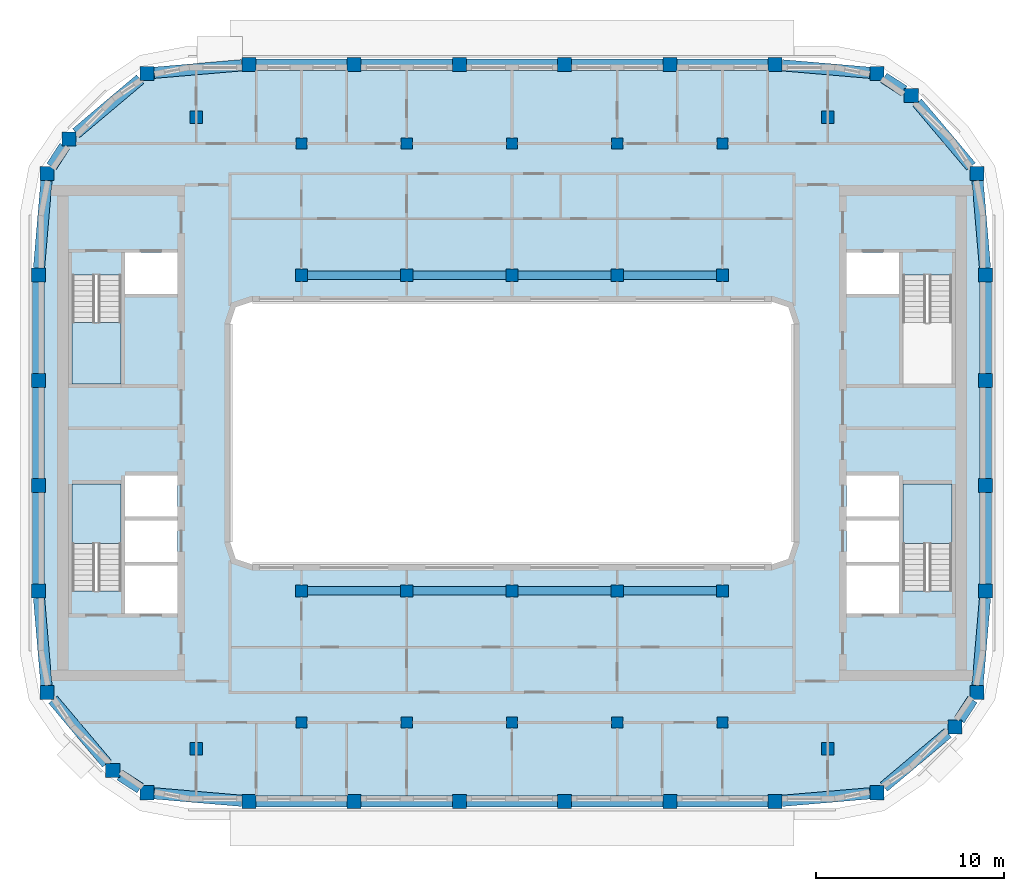
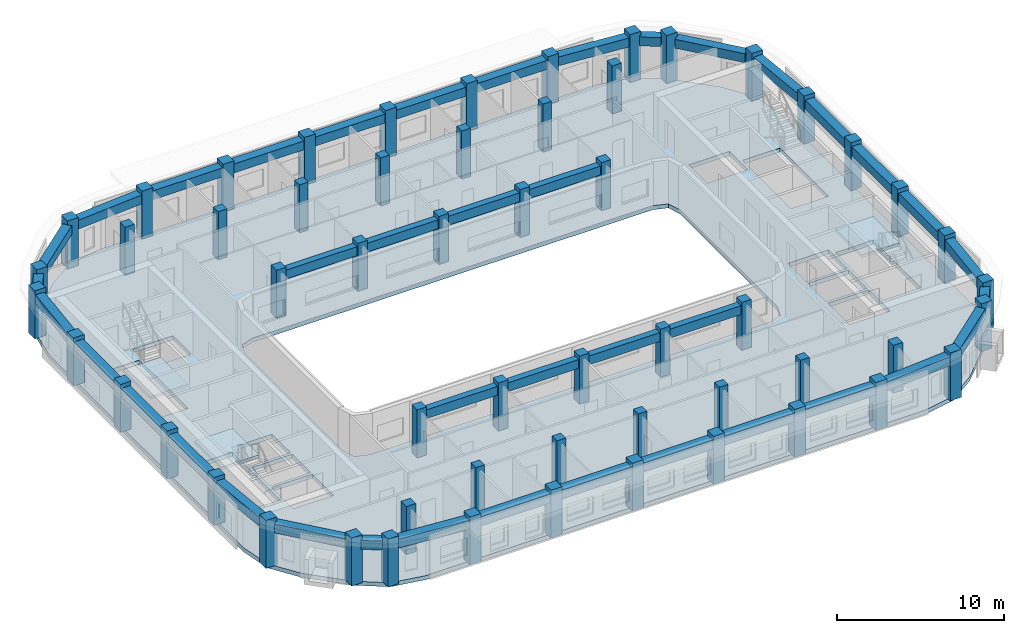
# One storey, part 1 of 16: 56 columns, 40 beams, 4 slabs, 3 elements without a shape of their own.
"""IFC4 building model written with IfcOpenShell, lengths in metres."""

import ifcopenshell
import ifcopenshell.guid

model = None  # the IFC model being written
_history = None  # IfcOwnerHistory: only IFC2X3 demands one
_inside = {}  # id of a spatial element -> (the spatial element, [elements in it])
_under = {}  # id of a project, library or spatial element -> (it, [spatial elements below it])
_declared = {}  # id of a project -> (the project, [libraries it declares])
_typed = {}  # id of a type object -> (the type object, [elements of that type])
_made_of = {}  # id of a material, layer set ... -> (it, [elements and type objects made of it])


def new_model(schema):
    """Start an empty IFC model of exactly this schema.

    Asked for "IFC4X3", IfcOpenShell would pick the latest addendum, in which some entities
    have other attributes; the version numbers below select the first issue.
    IFC2X3 requires an IfcOwnerHistory on every rooted entity: one is made here for all.
    """
    global model, _history
    if schema == "IFC4X3":
        model = ifcopenshell.file(schema_version=(4, 3, 0, 0))
    else:
        model = ifcopenshell.file(schema=schema)
    _inside.clear()
    _under.clear()
    _declared.clear()
    _typed.clear()
    _made_of.clear()
    _history = None
    if model.schema == "IFC2X3":
        org = make("IfcOrganization", Name="unknown")
        user = make(
            "IfcPersonAndOrganization",
            ThePerson=make("IfcPerson", FamilyName="unknown"),
            TheOrganization=org,
        )
        app = make(
            "IfcApplication",
            ApplicationDeveloper=org,
            Version="unknown",
            ApplicationFullName="unknown",
            ApplicationIdentifier="unknown",
        )
        _history = make(
            "IfcOwnerHistory",
            OwningUser=user,
            OwningApplication=app,
            ChangeAction="ADDED",
            CreationDate=0,
        )
    return model


def make(cls, **values):
    """One entity of the class cls with the attributes given. An attribute that is None is left unset."""
    return model.create_entity(
        cls, **{name: value for name, value in values.items() if value is not None}
    )


def rooted(cls, **values):
    """An entity with a GlobalId (a new one), such as an element, a storey or a relation."""
    return make(cls, GlobalId=ifcopenshell.guid.new(), OwnerHistory=_history, **values)


def si_unit(unit_type, name, prefix=None):
    """IfcSIUnit, for example si_unit("LENGTHUNIT", "METRE", prefix="MILLI")."""
    return make("IfcSIUnit", UnitType=unit_type, Prefix=prefix, Name=name)


def assignment(units):
    """IfcUnitAssignment: the units of a project."""
    return None if units is None else make("IfcUnitAssignment", Units=units)


def point(xyz):
    """IfcCartesianPoint."""
    return None if xyz is None else make("IfcCartesianPoint", Coordinates=xyz)


def direction(xyz):
    """IfcDirection."""
    return None if xyz is None else make("IfcDirection", DirectionRatios=xyz)


def frame(location, z_axis=None, x_axis=None):
    """IfcAxis2Placement3D, a coordinate frame: its origin and axes. An axis left out is left unset."""
    return make(
        "IfcAxis2Placement3D",
        Location=point(location),
        Axis=direction(z_axis),
        RefDirection=direction(x_axis),
    )


def frame_2d(location, x_axis=None):
    """IfcAxis2Placement2D, a coordinate frame in the plane: its origin and x axis."""
    return make(
        "IfcAxis2Placement2D", Location=point(location), RefDirection=direction(x_axis)
    )


def origin():
    """The frame at (0, 0, 0) with its axes left unset."""
    return frame((0.0, 0.0, 0.0))


def origin_2d():
    """The frame at (0, 0) in the plane with its x axis left unset."""
    return frame_2d((0.0, 0.0))


def place(relative_to, where):
    """IfcLocalPlacement: puts the frame where relative to a parent placement (None: the world)."""
    return make(
        "IfcLocalPlacement", PlacementRelTo=relative_to, RelativePlacement=where
    )


def context(
    kind, dimensions, precision=None, world=None, true_north=None, identifier=None
):
    """IfcGeometricRepresentationContext, for example the 3D "Model" context."""
    return make(
        "IfcGeometricRepresentationContext",
        ContextIdentifier=identifier,
        ContextType=kind,
        CoordinateSpaceDimension=dimensions,
        Precision=precision,
        WorldCoordinateSystem=world,
        TrueNorth=true_north,
    )


def subcontext(parent, identifier, kind, view, scale=None):
    """IfcGeometricRepresentationSubContext, for example "Body" below "Model"."""
    return make(
        "IfcGeometricRepresentationSubContext",
        ContextIdentifier=identifier,
        ContextType=kind,
        ParentContext=parent,
        TargetScale=scale,
        TargetView=view,
    )


def project(units=None, contexts=None):
    """IfcProject with its units and contexts."""
    return rooted(
        "IfcProject",
        Name="project",
        RepresentationContexts=contexts,
        UnitsInContext=assignment(units),
    )


def spatial(cls, under=None, at=None, **own):
    """A site, building, storey or space (cls), placed at a placement, below another one or the project."""
    s = rooted(cls, ObjectPlacement=at, **own)
    if under is not None:
        _under.setdefault(under.id(), (under, []))[1].append(s)
    return s


def polyline(points):
    """IfcPolyline through the points."""
    return make("IfcPolyline", Points=[point(p) for p in points])


def profile(cls, at=None, kind="AREA", **sizes):
    """A parametric profile (cls). Its sizes go by their IFC names, for example OverallWidth=200.0."""
    return make(cls, ProfileType=kind, Position=at, **sizes)


def rectangle(**sizes):
    """IfcRectangleProfileDef."""
    return profile("IfcRectangleProfileDef", **sizes)


def outline(outer, holes=None, kind="AREA"):
    """IfcArbitraryClosedProfileDef: a profile drawn as a closed curve; with holes, ...WithVoids."""
    if holes is None:
        return make("IfcArbitraryClosedProfileDef", ProfileType=kind, OuterCurve=outer)
    return make(
        "IfcArbitraryProfileDefWithVoids",
        ProfileType=kind,
        OuterCurve=outer,
        InnerCurves=holes,
    )


def extrude(swept, where, along, depth):
    """IfcExtrudedAreaSolid: the profile swept, set in the frame where, extruded along a direction by depth."""
    return make(
        "IfcExtrudedAreaSolid",
        SweptArea=swept,
        Position=where,
        ExtrudedDirection=direction(along),
        Depth=depth,
    )


def shape(context_of_items, identifier, shape_type, items):
    """IfcShapeRepresentation: the items that make up one representation, for example the "Body"."""
    return make(
        "IfcShapeRepresentation",
        ContextOfItems=context_of_items,
        RepresentationIdentifier=identifier,
        RepresentationType=shape_type,
        Items=items,
    )


def material(Name=None, Category=None):
    """IfcMaterial."""
    return make("IfcMaterial", Name=Name, Category=Category)


def layer(
    of_material, thickness, ventilated=None, Name=None, Category=None, Priority=None
):
    """IfcMaterialLayer: one layer of a wall or slab, of a material (None: an air gap)."""
    return make(
        "IfcMaterialLayer",
        Material=of_material,
        LayerThickness=thickness,
        IsVentilated=ventilated,
        Name=Name,
        Category=Category,
        Priority=Priority,
    )


def layer_set(layers, Name=None):
    """IfcMaterialLayerSet."""
    return make("IfcMaterialLayerSet", MaterialLayers=layers, LayerSetName=Name)


def material_profile(
    of_material, cross_section, Name=None, Category=None, Priority=None
):
    """IfcMaterialProfile: a cross section and its material."""
    return make(
        "IfcMaterialProfile",
        Name=Name,
        Material=of_material,
        Profile=cross_section,
        Priority=Priority,
        Category=Category,
    )


def profile_set(profiles, Name=None, composite=None):
    """IfcMaterialProfileSet."""
    return make(
        "IfcMaterialProfileSet",
        Name=Name,
        MaterialProfiles=profiles,
        CompositeProfile=composite,
    )


def made_of(thing, what):
    """Note that an element or type object is made of a material, layer set ...; save() writes the relation."""
    if what is not None:
        _made_of.setdefault(what.id(), (what, []))[1].append(thing)
    return thing


def type_object(cls, material=None, **own):
    """A type object (cls), such as IfcWallType, which elements share."""
    return made_of(rooted(cls, **own), material)


def element(
    cls,
    number,
    at=None,
    inside=None,
    cuts=None,
    type_object=None,
    material=None,
    context=None,
    identifier="Body",
    shape_type=None,
    held_by="IfcProductDefinitionShape",
    body=None,
    shapes=None,
    **own,
):
    """One element of the class cls, such as IfcWall. Its Tag is "e" and its number.

    at: its placement. inside: the storey or other place that contains it. cuts: it is an
    opening in that element (IfcRelVoidsElement). A single representation is given by context,
    identifier, shape_type and body (its items); several are given by shapes. held_by: the class
    of the entity that holds the representations. save() writes the other relations.
    """
    e = rooted(cls, Tag="e%d" % number, ObjectPlacement=at, **own)
    if body is not None:
        shapes = [shape(context, identifier, shape_type, body)]
    if shapes is not None:
        e.Representation = make(held_by, Representations=shapes)
    if inside is not None:
        _inside.setdefault(inside.id(), (inside, []))[1].append(e)
    if cuts is not None:
        rooted(
            "IfcRelVoidsElement", RelatingBuildingElement=cuts, RelatedOpeningElement=e
        )
    if type_object is not None:
        _typed.setdefault(type_object.id(), (type_object, []))[1].append(e)
    return made_of(e, material)


def aggregate(whole, parts):
    """IfcRelAggregates: a whole, such as a stair, and the parts it consists of."""
    return rooted("IfcRelAggregates", RelatingObject=whole, RelatedObjects=parts)


def save(model, path):
    """Write the relations noted so far, then the file.

    IfcRelAggregates (storeys below a building ...), IfcRelContainedInSpatialStructure (elements
    in a storey), IfcRelDefinesByType, IfcRelAssociatesMaterial and IfcRelDeclares: one each for
    every whole, place, type object, material and project.
    """
    for whole, parts in _under.values():
        aggregate(whole, parts)
    for where, things in _inside.values():
        rooted(
            "IfcRelContainedInSpatialStructure",
            RelatedElements=things,
            RelatingStructure=where,
        )
    for kind, things in _typed.values():
        rooted("IfcRelDefinesByType", RelatedObjects=things, RelatingType=kind)
    for what, things in _made_of.values():
        rooted("IfcRelAssociatesMaterial", RelatedObjects=things, RelatingMaterial=what)
    for by, libraries in _declared.values():
        rooted("IfcRelDeclares", RelatingContext=by, RelatedDefinitions=libraries)
    model.write(path)


model = new_model("IFC4")

# Units and contexts
model_context = context("Model", 3, precision=1e-05, world=origin(), true_north=direction((0.0, 1.0)))
body_context = subcontext(model_context, "Body", "Model", "MODEL_VIEW")
ifc_project = project(units=[si_unit("LENGTHUNIT", "METRE"), si_unit("AREAUNIT", "SQUARE_METRE"), si_unit("VOLUMEUNIT", "CUBIC_METRE"), si_unit("PLANEANGLEUNIT", "RADIAN"), si_unit("MASSUNIT", "GRAM", prefix="KILO")], contexts=[model_context])

# Site, building, storey
site_placement = place(None, origin())
site = spatial("IfcSite", under=ifc_project, at=site_placement, CompositionType="ELEMENT")
building_placement = place(site_placement, origin())
building = spatial("IfcBuilding", under=site, at=building_placement, Name="Kiln Ring Residences", CompositionType="ELEMENT")
storey_placement = place(building_placement, frame((0.0, 0.0, 269.699951171875)))
storey = spatial("IfcBuildingStorey", under=building, at=storey_placement, Name="L70", CompositionType="ELEMENT", Elevation=269.699951171875)

# Columns
ifc_material_1 = material(Name="Concrete C60/75", Category="concrete")
ifc_material_profile_1 = material_profile(ifc_material_1, rectangle(XDim=0.60009765625, YDim=0.60009765625, at=origin_2d()), Name="RC600x600")
ifc_profile_set_1 = profile_set([ifc_material_profile_1], Name="Concrete C60/75")
column_type_1 = type_object("IfcColumnType", Name="Corridor column RC600x600 C60/75", PredefinedType="COLUMN", material=ifc_profile_set_1)
for number, where, z_axis, x_axis, name in (
    (1, (-11.199951171875, 15.39990234375, 0.0), (0.0, 0.0, 1.0), (1.0, 0.0, 0.0), "Corridor column L70 1"),
    (2, (-5.60009765625, 15.39990234375, 0.0), (0.0, 0.0, 1.0), (1.0, 0.0, 0.0), "Corridor column L70 2"),
    (3, (0.0, 15.39990234375, 0.0), (0.0, 0.0, 1.0), (1.0, 0.0, 0.0), "Corridor column L70 3"),
    (4, (5.60009765625, 15.39990234375, 0.0), (0.0, 0.0, 1.0), (1.0, 0.0, 0.0), "Corridor column L70 4"),
    (5, (11.199951171875, 15.39990234375, 0.0), (0.0, 0.0, 1.0), (1.0, 0.0, 0.0), "Corridor column L70 5"),
    (6, (-11.199951171875, -15.39990234375, 0.0), (0.0, 0.0, 1.0), (1.0, 0.0, 0.0), "Corridor column L70 6"),
    (7, (-5.60009765625, -15.39990234375, 0.0), (0.0, 0.0, 1.0), (1.0, 0.0, 0.0), "Corridor column L70 7"),
    (8, (0.0, -15.39990234375, 0.0), (0.0, 0.0, 1.0), (1.0, 0.0, 0.0), "Corridor column L70 8"),
    (9, (5.60009765625, -15.39990234375, 0.0), (0.0, 0.0, 1.0), (1.0, 0.0, 0.0), "Corridor column L70 9"),
    (10, (11.199951171875, -15.39990234375, 0.0), (0.0, 0.0, 1.0), (1.0, 0.0, 0.0), "Corridor column L70 10"),
):
    element("IfcColumn", number, at=place(storey_placement, frame(where, z_axis=z_axis, x_axis=x_axis)), inside=storey, type_object=column_type_1, Name=name, PredefinedType="COLUMN", context=body_context, shape_type="SweptSolid", body=[
        extrude(rectangle(XDim=0.60009765625, YDim=0.60009765625, at=origin_2d()), origin(), (0.0, 0.0, 1.0), 3.5),
    ])
ifc_material_2 = material(Name="Concrete C60/75", Category="concrete")
ifc_material_profile_2 = material_profile(ifc_material_2, rectangle(XDim=0.75, YDim=0.75, at=origin_2d()), Name="RC750x750")
ifc_profile_set_2 = profile_set([ifc_material_profile_2], Name="Concrete C60/75")
column_type_2 = type_object("IfcColumnType", Name="Perimeter column RC750x750 C60/75", PredefinedType="COLUMN", material=ifc_profile_set_2)
for number, where, z_axis, x_axis, name in (
    (11, (-19.40869140625, -19.13818359375, 0.0), (0.0, 0.0, 1.0), (1.0, 0.0, 0.0), "Perimeter column L70 1"),
    (12, (-14.0, -19.60009765625, 0.0), (0.0, 0.0, 1.0), (1.0, 0.0, 0.0), "Perimeter column L70 2"),
    (13, (-8.39990234375, -19.60009765625, 0.0), (0.0, 0.0, 1.0), (1.0, 0.0, 0.0), "Perimeter column L70 3"),
    (14, (-2.800048828125, -19.60009765625, 0.0), (0.0, 0.0, 1.0), (1.0, 0.0, 0.0), "Perimeter column L70 4"),
    (15, (2.800048828125, -19.60009765625, 0.0), (0.0, 0.0, 1.0), (1.0, 0.0, 0.0), "Perimeter column L70 5"),
    (16, (8.39990234375, -19.60009765625, 0.0), (0.0, 0.0, 1.0), (1.0, 0.0, 0.0), "Perimeter column L70 6"),
    (17, (14.0, -19.60009765625, 0.0), (0.0, 0.0, 1.0), (1.0, 0.0, 0.0), "Perimeter column L70 7"),
    (18, (19.40869140625, -19.13818359375, 0.0), (0.0, 0.0, 1.0), (1.0, 0.0, 0.0), "Perimeter column L70 8"),
    (19, (23.559814453125, -15.64013671875, 0.0), (0.0, 0.0, 1.0), (1.0, 0.0, 0.0), "Perimeter column L70 9"),
    (20, (24.738037109375, -13.80859375, 0.0), (0.0, 0.0, 1.0), (1.0, 0.0, 0.0), "Perimeter column L70 10"),
    (21, (25.199951171875, -8.39990234375, 0.0), (0.0, 0.0, 1.0), (1.0, 0.0, 0.0), "Perimeter column L70 11"),
    (22, (25.199951171875, -2.800048828125, 0.0), (0.0, 0.0, 1.0), (1.0, 0.0, 0.0), "Perimeter column L70 12"),
    (23, (25.199951171875, 2.800048828125, 0.0), (0.0, 0.0, 1.0), (1.0, 0.0, 0.0), "Perimeter column L70 13"),
    (24, (25.199951171875, 8.39990234375, 0.0), (0.0, 0.0, 1.0), (1.0, 0.0, 0.0), "Perimeter column L70 14"),
    (25, (24.738037109375, 13.80859375, 0.0), (0.0, 0.0, 1.0), (1.0, 0.0, 0.0), "Perimeter column L70 15"),
    (26, (21.240234375, 17.959716796875, 0.0), (0.0, 0.0, 1.0), (1.0, 0.0, 0.0), "Perimeter column L70 16"),
    (27, (19.40869140625, 19.13818359375, 0.0), (0.0, 0.0, 1.0), (1.0, 0.0, 0.0), "Perimeter column L70 17"),
    (28, (14.0, 19.60009765625, 0.0), (0.0, 0.0, 1.0), (1.0, 0.0, 0.0), "Perimeter column L70 18"),
    (29, (8.39990234375, 19.60009765625, 0.0), (0.0, 0.0, 1.0), (1.0, 0.0, 0.0), "Perimeter column L70 19"),
    (30, (2.800048828125, 19.60009765625, 0.0), (0.0, 0.0, 1.0), (1.0, 0.0, 0.0), "Perimeter column L70 20"),
    (31, (-2.800048828125, 19.60009765625, 0.0), (0.0, 0.0, 1.0), (1.0, 0.0, 0.0), "Perimeter column L70 21"),
    (32, (-8.39990234375, 19.60009765625, 0.0), (0.0, 0.0, 1.0), (1.0, 0.0, 0.0), "Perimeter column L70 22"),
    (33, (-14.0, 19.60009765625, 0.0), (0.0, 0.0, 1.0), (1.0, 0.0, 0.0), "Perimeter column L70 23"),
    (34, (-19.40869140625, 19.13818359375, 0.0), (0.0, 0.0, 1.0), (1.0, 0.0, 0.0), "Perimeter column L70 24"),
    (35, (-23.559814453125, 15.64013671875, 0.0), (0.0, 0.0, 1.0), (1.0, 0.0, 0.0), "Perimeter column L70 25"),
    (36, (-24.738037109375, 13.80859375, 0.0), (0.0, 0.0, 1.0), (1.0, 0.0, 0.0), "Perimeter column L70 26"),
    (37, (-25.199951171875, 8.39990234375, 0.0), (0.0, 0.0, 1.0), (1.0, 0.0, 0.0), "Perimeter column L70 27"),
    (38, (-25.199951171875, 2.800048828125, 0.0), (0.0, 0.0, 1.0), (1.0, 0.0, 0.0), "Perimeter column L70 28"),
    (39, (-25.199951171875, -2.800048828125, 0.0), (0.0, 0.0, 1.0), (1.0, 0.0, 0.0), "Perimeter column L70 29"),
    (40, (-25.199951171875, -8.39990234375, 0.0), (0.0, 0.0, 1.0), (1.0, 0.0, 0.0), "Perimeter column L70 30"),
    (41, (-24.738037109375, -13.80859375, 0.0), (0.0, 0.0, 1.0), (1.0, 0.0, 0.0), "Perimeter column L70 31"),
    (42, (-21.240234375, -17.959716796875, 0.0), (0.0, 0.0, 1.0), (1.0, 0.0, 0.0), "Perimeter column L70 32"),
):
    element("IfcColumn", number, at=place(storey_placement, frame(where, z_axis=z_axis, x_axis=x_axis)), inside=storey, type_object=column_type_2, Name=name, PredefinedType="COLUMN", context=body_context, shape_type="SweptSolid", body=[
        extrude(rectangle(XDim=0.75, YDim=0.75, at=origin_2d()), origin(), (0.0, 0.0, 1.0), 3.5),
    ])
ifc_material_3 = material(Name="Concrete C60/75", Category="concrete")
ifc_material_profile_3 = material_profile(ifc_material_3, rectangle(XDim=0.64990234375, YDim=0.64990234375, at=origin_2d()), Name="RC650x650")
ifc_profile_set_3 = profile_set([ifc_material_profile_3], Name="Concrete C60/75")
column_type_3 = type_object("IfcColumnType", Name="Ring column RC650x650 C60/75", PredefinedType="COLUMN", material=ifc_profile_set_3)
for number, where, z_axis, x_axis, name in (
    (43, (-16.800048828125, -16.800048828125, 0.0), (0.0, 0.0, 1.0), (1.0, 0.0, 0.0), "Ring column L70 1"),
    (44, (-16.800048828125, 16.800048828125, 0.0), (0.0, 0.0, 1.0), (1.0, 0.0, 0.0), "Ring column L70 2"),
    (45, (-11.199951171875, -8.39990234375, 0.0), (0.0, 0.0, 1.0), (1.0, 0.0, 0.0), "Ring column L70 3"),
    (46, (-11.199951171875, 8.39990234375, 0.0), (0.0, 0.0, 1.0), (1.0, 0.0, 0.0), "Ring column L70 4"),
    (47, (-5.60009765625, -8.39990234375, 0.0), (0.0, 0.0, 1.0), (1.0, 0.0, 0.0), "Ring column L70 5"),
    (48, (-5.60009765625, 8.39990234375, 0.0), (0.0, 0.0, 1.0), (1.0, 0.0, 0.0), "Ring column L70 6"),
    (49, (0.0, -8.39990234375, 0.0), (0.0, 0.0, 1.0), (1.0, 0.0, 0.0), "Ring column L70 7"),
    (50, (0.0, 8.39990234375, 0.0), (0.0, 0.0, 1.0), (1.0, 0.0, 0.0), "Ring column L70 8"),
    (51, (5.60009765625, -8.39990234375, 0.0), (0.0, 0.0, 1.0), (1.0, 0.0, 0.0), "Ring column L70 9"),
    (52, (5.60009765625, 8.39990234375, 0.0), (0.0, 0.0, 1.0), (1.0, 0.0, 0.0), "Ring column L70 10"),
    (53, (11.199951171875, -8.39990234375, 0.0), (0.0, 0.0, 1.0), (1.0, 0.0, 0.0), "Ring column L70 11"),
    (54, (11.199951171875, 8.39990234375, 0.0), (0.0, 0.0, 1.0), (1.0, 0.0, 0.0), "Ring column L70 12"),
    (55, (16.800048828125, -16.800048828125, 0.0), (0.0, 0.0, 1.0), (1.0, 0.0, 0.0), "Ring column L70 13"),
    (56, (16.800048828125, 16.800048828125, 0.0), (0.0, 0.0, 1.0), (1.0, 0.0, 0.0), "Ring column L70 14"),
):
    element("IfcColumn", number, at=place(storey_placement, frame(where, z_axis=z_axis, x_axis=x_axis)), inside=storey, type_object=column_type_3, Name=name, PredefinedType="COLUMN", context=body_context, shape_type="SweptSolid", body=[
        extrude(rectangle(XDim=0.64990234375, YDim=0.64990234375, at=origin_2d()), origin(), (0.0, 0.0, 1.0), 3.5),
    ])

# Beams
ifc_material_4 = material(Name="Concrete C50/60", Category="concrete")
ifc_material_profile_4 = material_profile(ifc_material_4, rectangle(XDim=0.449951171875, YDim=0.64990234375, at=origin_2d()), Name="RC450x650")
ifc_profile_set_4 = profile_set([ifc_material_profile_4], Name="Concrete C50/60")
beam_type_1 = type_object("IfcBeamType", Name="Ring beam RC450x650 C50/60", PredefinedType="BEAM", material=ifc_profile_set_4)
for number, where, z_axis, x_axis, name in (
    (57, (-10.875, -8.39990234375, 2.875), (1.0, 0.0, 0.0), (0.0, 1.0, 0.0), "Ring beam L70 1"),
    (58, (-5.27490234375, -8.39990234375, 2.875), (1.0, 0.0, 0.0), (0.0, 1.0, 0.0), "Ring beam L70 2"),
    (59, (0.324951171875, -8.39990234375, 2.875), (1.0, 0.0, 0.0), (0.0, 1.0, 0.0), "Ring beam L70 3"),
    (60, (5.925048828125, -8.39990234375, 2.875), (1.0, 0.0, 0.0), (0.0, 1.0, 0.0), "Ring beam L70 4"),
    (61, (-10.875, 8.39990234375, 2.875), (1.0, 0.0, 0.0), (0.0, 1.0, 0.0), "Ring beam L70 5"),
    (62, (-5.27490234375, 8.39990234375, 2.875), (1.0, 0.0, 0.0), (0.0, 1.0, 0.0), "Ring beam L70 6"),
    (63, (0.324951171875, 8.39990234375, 2.875), (1.0, 0.0, 0.0), (0.0, 1.0, 0.0), "Ring beam L70 7"),
    (64, (5.925048828125, 8.39990234375, 2.875), (1.0, 0.0, 0.0), (0.0, 1.0, 0.0), "Ring beam L70 8"),
):
    element("IfcBeam", number, at=place(storey_placement, frame(where, z_axis=z_axis, x_axis=x_axis)), inside=storey, type_object=beam_type_1, Name=name, PredefinedType="BEAM", context=body_context, shape_type="SweptSolid", body=[
        extrude(rectangle(XDim=0.449951171875, YDim=0.64990234375, at=origin_2d()), origin(), (0.0, 0.0, 1.0), 4.949951171875),
    ])
ifc_material_5 = material(Name="Concrete C50/60", Category="concrete")
ifc_material_profile_5 = material_profile(ifc_material_5, rectangle(XDim=0.60009765625, YDim=0.64990234375, at=origin_2d()), Name="RC600x650")
ifc_profile_set_5 = profile_set([ifc_material_profile_5], Name="Concrete C50/60")
beam_type_2 = type_object("IfcBeamType", Name="Spandrel beam RC600x650 C50/60", PredefinedType="SPANDREL", material=ifc_profile_set_5)
beam_1_placement = place(storey_placement, frame((-19.03369140625, -19.170166015625, 2.875), z_axis=(0.996375913916, -0.085059027553, 0.0), x_axis=(0.085059027553, 0.996375913916, 0.0)))
element("IfcBeam", 65, at=beam_1_placement, inside=storey, type_object=beam_type_2, Name="Spandrel beam L70 1", PredefinedType="SPANDREL", context=body_context, shape_type="SweptSolid", body=[
    extrude(rectangle(XDim=0.60009765625, YDim=0.64990234375, at=origin_2d()), origin(), (0.0, 0.0, 1.0), 4.675537109375),
])
beam_2_placement = place(storey_placement, frame((-13.625, -19.60009765625, 2.875), z_axis=(1.0, 0.0, 0.0), x_axis=(0.0, 1.0, 0.0)))
element("IfcBeam", 66, at=beam_2_placement, inside=storey, type_object=beam_type_2, Name="Spandrel beam L70 2", PredefinedType="SPANDREL", context=body_context, shape_type="SweptSolid", body=[
    extrude(rectangle(XDim=0.60009765625, YDim=0.64990234375, at=origin_2d()), origin(), (0.0, 0.0, 1.0), 4.85009765625),
])
beam_3_placement = place(storey_placement, frame((-8.02490234375, -19.60009765625, 2.875), z_axis=(1.0, 0.0, 0.0), x_axis=(0.0, 1.0, 0.0)))
element("IfcBeam", 67, at=beam_3_placement, inside=storey, type_object=beam_type_2, Name="Spandrel beam L70 3", PredefinedType="SPANDREL", context=body_context, shape_type="SweptSolid", body=[
    extrude(rectangle(XDim=0.60009765625, YDim=0.64990234375, at=origin_2d()), origin(), (0.0, 0.0, 1.0), 4.849853515625),
])
beam_4_placement = place(storey_placement, frame((-2.425048828125, -19.60009765625, 2.875), z_axis=(1.0, 0.0, 0.0), x_axis=(0.0, 1.0, 0.0)))
element("IfcBeam", 68, at=beam_4_placement, inside=storey, type_object=beam_type_2, Name="Spandrel beam L70 4", PredefinedType="SPANDREL", context=body_context, shape_type="SweptSolid", body=[
    extrude(rectangle(XDim=0.60009765625, YDim=0.64990234375, at=origin_2d()), origin(), (0.0, 0.0, 1.0), 4.85009765625),
])
beam_5_placement = place(storey_placement, frame((3.175048828125, -19.60009765625, 2.875), z_axis=(1.0, 0.0, 0.0), x_axis=(0.0, 1.0, 0.0)))
element("IfcBeam", 69, at=beam_5_placement, inside=storey, type_object=beam_type_2, Name="Spandrel beam L70 5", PredefinedType="SPANDREL", context=body_context, shape_type="SweptSolid", body=[
    extrude(rectangle(XDim=0.60009765625, YDim=0.64990234375, at=origin_2d()), origin(), (0.0, 0.0, 1.0), 4.849853515625),
])
beam_6_placement = place(storey_placement, frame((8.77490234375, -19.60009765625, 2.875), z_axis=(1.0, 0.0, 0.0), x_axis=(0.0, 1.0, 0.0)))
element("IfcBeam", 70, at=beam_6_placement, inside=storey, type_object=beam_type_2, Name="Spandrel beam L70 6", PredefinedType="SPANDREL", context=body_context, shape_type="SweptSolid", body=[
    extrude(rectangle(XDim=0.60009765625, YDim=0.64990234375, at=origin_2d()), origin(), (0.0, 0.0, 1.0), 4.85009765625),
])
beam_7_placement = place(storey_placement, frame((14.375, -19.56787109375, 2.875), z_axis=(0.996375913916, 0.085059027553, 0.0), x_axis=(-0.085059027553, 0.996375913916, 0.0)))
element("IfcBeam", 71, at=beam_7_placement, inside=storey, type_object=beam_type_2, Name="Spandrel beam L70 7", PredefinedType="SPANDREL", context=body_context, shape_type="SweptSolid", body=[
    extrude(rectangle(XDim=0.60009765625, YDim=0.64990234375, at=origin_2d()), origin(), (0.0, 0.0, 1.0), 4.675537109375),
])
beam_8_placement = place(storey_placement, frame((19.78369140625, -18.822021484375, 2.875), z_axis=(0.764731805725, 0.644348714062, 0.0), x_axis=(-0.644348714062, 0.764731805725, 0.0)))
element("IfcBeam", 72, at=beam_8_placement, inside=storey, type_object=beam_type_2, Name="Spandrel beam L70 8", PredefinedType="SPANDREL", context=body_context, shape_type="SweptSolid", body=[
    extrude(rectangle(XDim=0.60009765625, YDim=0.64990234375, at=origin_2d()), origin(), (0.0, 0.0, 1.0), 4.447509765625),
])
beam_9_placement = place(storey_placement, frame((23.801025390625, -15.26513671875, 2.875), z_axis=(0.541045404444, 0.840993383048, 0.0), x_axis=(-0.840993383048, 0.541045404444, 0.0)))
element("IfcBeam", 73, at=beam_9_placement, inside=storey, type_object=beam_type_2, Name="Spandrel beam L70 9", PredefinedType="SPANDREL", context=body_context, shape_type="SweptSolid", body=[
    extrude(rectangle(XDim=0.60009765625, YDim=0.64990234375, at=origin_2d()), origin(), (0.0, 0.0, 1.0), 1.2861328125),
])
beam_10_placement = place(storey_placement, frame((24.77001953125, -13.43359375, 2.875), z_axis=(0.085110864913, 0.996371487285, 0.0), x_axis=(-0.996371487285, 0.085110864913, 0.0)))
element("IfcBeam", 74, at=beam_10_placement, inside=storey, type_object=beam_type_2, Name="Spandrel beam L70 10", PredefinedType="SPANDREL", context=body_context, shape_type="SweptSolid", body=[
    extrude(rectangle(XDim=0.60009765625, YDim=0.64990234375, at=origin_2d()), origin(), (0.0, 0.0, 1.0), 4.675537109375),
])
beam_11_placement = place(storey_placement, frame((25.199951171875, -8.02490234375, 2.875), z_axis=(0.0, 1.0, 0.0), x_axis=(-1.0, 0.0, 0.0)))
element("IfcBeam", 75, at=beam_11_placement, inside=storey, type_object=beam_type_2, Name="Spandrel beam L70 11", PredefinedType="SPANDREL", context=body_context, shape_type="SweptSolid", body=[
    extrude(rectangle(XDim=0.60009765625, YDim=0.64990234375, at=origin_2d()), origin(), (0.0, 0.0, 1.0), 4.849853515625),
])
beam_12_placement = place(storey_placement, frame((25.199951171875, -2.425048828125, 2.875), z_axis=(0.0, 1.0, 0.0), x_axis=(-1.0, 0.0, 0.0)))
element("IfcBeam", 76, at=beam_12_placement, inside=storey, type_object=beam_type_2, Name="Spandrel beam L70 12", PredefinedType="SPANDREL", context=body_context, shape_type="SweptSolid", body=[
    extrude(rectangle(XDim=0.60009765625, YDim=0.64990234375, at=origin_2d()), origin(), (0.0, 0.0, 1.0), 4.85009765625),
])
beam_13_placement = place(storey_placement, frame((25.199951171875, 3.175048828125, 2.875), z_axis=(0.0, 1.0, 0.0), x_axis=(-1.0, 0.0, 0.0)))
element("IfcBeam", 77, at=beam_13_placement, inside=storey, type_object=beam_type_2, Name="Spandrel beam L70 13", PredefinedType="SPANDREL", context=body_context, shape_type="SweptSolid", body=[
    extrude(rectangle(XDim=0.60009765625, YDim=0.64990234375, at=origin_2d()), origin(), (0.0, 0.0, 1.0), 4.849853515625),
])
beam_14_placement = place(storey_placement, frame((25.16796875, 8.77490234375, 2.875), z_axis=(-0.085110864913, 0.996371487285, 0.0), x_axis=(-0.996371487285, -0.085110864913, 0.0)))
element("IfcBeam", 78, at=beam_14_placement, inside=storey, type_object=beam_type_2, Name="Spandrel beam L70 14", PredefinedType="SPANDREL", context=body_context, shape_type="SweptSolid", body=[
    extrude(rectangle(XDim=0.60009765625, YDim=0.64990234375, at=origin_2d()), origin(), (0.0, 0.0, 1.0), 4.675537109375),
])
beam_15_placement = place(storey_placement, frame((24.422119140625, 14.18359375, 2.875), z_axis=(-0.644380815325, 0.764704756648, 0.0), x_axis=(-0.764704756648, -0.644380815325, 0.0)))
element("IfcBeam", 79, at=beam_15_placement, inside=storey, type_object=beam_type_2, Name="Spandrel beam L70 15", PredefinedType="SPANDREL", context=body_context, shape_type="SweptSolid", body=[
    extrude(rectangle(XDim=0.60009765625, YDim=0.64990234375, at=origin_2d()), origin(), (0.0, 0.0, 1.0), 4.447509765625),
])
beam_16_placement = place(storey_placement, frame((20.865234375, 18.201171875, 2.875), z_axis=(-0.841079761586, 0.540911115295, 0.0), x_axis=(-0.540911115295, -0.841079761586, 0.0)))
element("IfcBeam", 80, at=beam_16_placement, inside=storey, type_object=beam_type_2, Name="Spandrel beam L70 16", PredefinedType="SPANDREL", context=body_context, shape_type="SweptSolid", body=[
    extrude(rectangle(XDim=0.60009765625, YDim=0.64990234375, at=origin_2d()), origin(), (0.0, 0.0, 1.0), 1.285888671875),
])
beam_17_placement = place(storey_placement, frame((19.03369140625, 19.170166015625, 2.875), z_axis=(-0.996375913916, 0.085059027553, 0.0), x_axis=(-0.085059027553, -0.996375913916, 0.0)))
element("IfcBeam", 81, at=beam_17_placement, inside=storey, type_object=beam_type_2, Name="Spandrel beam L70 17", PredefinedType="SPANDREL", context=body_context, shape_type="SweptSolid", body=[
    extrude(rectangle(XDim=0.60009765625, YDim=0.64990234375, at=origin_2d()), origin(), (0.0, 0.0, 1.0), 4.675537109375),
])
beam_18_placement = place(storey_placement, frame((13.625, 19.60009765625, 2.875), z_axis=(-1.0, 0.0, 0.0), x_axis=(0.0, -1.0, 0.0)))
element("IfcBeam", 82, at=beam_18_placement, inside=storey, type_object=beam_type_2, Name="Spandrel beam L70 18", PredefinedType="SPANDREL", context=body_context, shape_type="SweptSolid", body=[
    extrude(rectangle(XDim=0.60009765625, YDim=0.64990234375, at=origin_2d()), origin(), (0.0, 0.0, 1.0), 4.85009765625),
])
beam_19_placement = place(storey_placement, frame((8.02490234375, 19.60009765625, 2.875), z_axis=(-1.0, 0.0, 0.0), x_axis=(0.0, -1.0, 0.0)))
element("IfcBeam", 83, at=beam_19_placement, inside=storey, type_object=beam_type_2, Name="Spandrel beam L70 19", PredefinedType="SPANDREL", context=body_context, shape_type="SweptSolid", body=[
    extrude(rectangle(XDim=0.60009765625, YDim=0.64990234375, at=origin_2d()), origin(), (0.0, 0.0, 1.0), 4.849853515625),
])
beam_20_placement = place(storey_placement, frame((2.425048828125, 19.60009765625, 2.875), z_axis=(-1.0, 0.0, 0.0), x_axis=(0.0, -1.0, 0.0)))
element("IfcBeam", 84, at=beam_20_placement, inside=storey, type_object=beam_type_2, Name="Spandrel beam L70 20", PredefinedType="SPANDREL", context=body_context, shape_type="SweptSolid", body=[
    extrude(rectangle(XDim=0.60009765625, YDim=0.64990234375, at=origin_2d()), origin(), (0.0, 0.0, 1.0), 4.85009765625),
])
beam_21_placement = place(storey_placement, frame((-3.175048828125, 19.60009765625, 2.875), z_axis=(-1.0, 0.0, 0.0), x_axis=(0.0, -1.0, 0.0)))
element("IfcBeam", 85, at=beam_21_placement, inside=storey, type_object=beam_type_2, Name="Spandrel beam L70 21", PredefinedType="SPANDREL", context=body_context, shape_type="SweptSolid", body=[
    extrude(rectangle(XDim=0.60009765625, YDim=0.64990234375, at=origin_2d()), origin(), (0.0, 0.0, 1.0), 4.849853515625),
])
beam_22_placement = place(storey_placement, frame((-8.77490234375, 19.60009765625, 2.875), z_axis=(-1.0, 0.0, 0.0), x_axis=(0.0, -1.0, 0.0)))
element("IfcBeam", 86, at=beam_22_placement, inside=storey, type_object=beam_type_2, Name="Spandrel beam L70 22", PredefinedType="SPANDREL", context=body_context, shape_type="SweptSolid", body=[
    extrude(rectangle(XDim=0.60009765625, YDim=0.64990234375, at=origin_2d()), origin(), (0.0, 0.0, 1.0), 4.85009765625),
])
beam_23_placement = place(storey_placement, frame((-14.375, 19.56787109375, 2.875), z_axis=(-0.996375913916, -0.085059027553, 0.0), x_axis=(0.085059027553, -0.996375913916, 0.0)))
element("IfcBeam", 87, at=beam_23_placement, inside=storey, type_object=beam_type_2, Name="Spandrel beam L70 23", PredefinedType="SPANDREL", context=body_context, shape_type="SweptSolid", body=[
    extrude(rectangle(XDim=0.60009765625, YDim=0.64990234375, at=origin_2d()), origin(), (0.0, 0.0, 1.0), 4.675537109375),
])
beam_24_placement = place(storey_placement, frame((-19.78369140625, 18.822021484375, 2.875), z_axis=(-0.764731805725, -0.644348714062, 0.0), x_axis=(0.644348714062, -0.764731805725, 0.0)))
element("IfcBeam", 88, at=beam_24_placement, inside=storey, type_object=beam_type_2, Name="Spandrel beam L70 24", PredefinedType="SPANDREL", context=body_context, shape_type="SweptSolid", body=[
    extrude(rectangle(XDim=0.60009765625, YDim=0.64990234375, at=origin_2d()), origin(), (0.0, 0.0, 1.0), 4.447509765625),
])
beam_25_placement = place(storey_placement, frame((-23.801025390625, 15.26513671875, 2.875), z_axis=(-0.541045404444, -0.840993383048, 0.0), x_axis=(0.840993383048, -0.541045404444, 0.0)))
element("IfcBeam", 89, at=beam_25_placement, inside=storey, type_object=beam_type_2, Name="Spandrel beam L70 25", PredefinedType="SPANDREL", context=body_context, shape_type="SweptSolid", body=[
    extrude(rectangle(XDim=0.60009765625, YDim=0.64990234375, at=origin_2d()), origin(), (0.0, 0.0, 1.0), 1.2861328125),
])
beam_26_placement = place(storey_placement, frame((-24.77001953125, 13.43359375, 2.875), z_axis=(-0.085110864913, -0.996371487285, 0.0), x_axis=(0.996371487285, -0.085110864913, 0.0)))
element("IfcBeam", 90, at=beam_26_placement, inside=storey, type_object=beam_type_2, Name="Spandrel beam L70 26", PredefinedType="SPANDREL", context=body_context, shape_type="SweptSolid", body=[
    extrude(rectangle(XDim=0.60009765625, YDim=0.64990234375, at=origin_2d()), origin(), (0.0, 0.0, 1.0), 4.675537109375),
])
beam_27_placement = place(storey_placement, frame((-25.199951171875, 8.02490234375, 2.875), z_axis=(0.0, -1.0, 0.0), x_axis=(1.0, 0.0, 0.0)))
element("IfcBeam", 91, at=beam_27_placement, inside=storey, type_object=beam_type_2, Name="Spandrel beam L70 27", PredefinedType="SPANDREL", context=body_context, shape_type="SweptSolid", body=[
    extrude(rectangle(XDim=0.60009765625, YDim=0.64990234375, at=origin_2d()), origin(), (0.0, 0.0, 1.0), 4.849853515625),
])
beam_28_placement = place(storey_placement, frame((-25.199951171875, 2.425048828125, 2.875), z_axis=(0.0, -1.0, 0.0), x_axis=(1.0, 0.0, 0.0)))
element("IfcBeam", 92, at=beam_28_placement, inside=storey, type_object=beam_type_2, Name="Spandrel beam L70 28", PredefinedType="SPANDREL", context=body_context, shape_type="SweptSolid", body=[
    extrude(rectangle(XDim=0.60009765625, YDim=0.64990234375, at=origin_2d()), origin(), (0.0, 0.0, 1.0), 4.85009765625),
])
beam_29_placement = place(storey_placement, frame((-25.199951171875, -3.175048828125, 2.875), z_axis=(0.0, -1.0, 0.0), x_axis=(1.0, 0.0, 0.0)))
element("IfcBeam", 93, at=beam_29_placement, inside=storey, type_object=beam_type_2, Name="Spandrel beam L70 29", PredefinedType="SPANDREL", context=body_context, shape_type="SweptSolid", body=[
    extrude(rectangle(XDim=0.60009765625, YDim=0.64990234375, at=origin_2d()), origin(), (0.0, 0.0, 1.0), 4.849853515625),
])
beam_30_placement = place(storey_placement, frame((-25.16796875, -8.77490234375, 2.875), z_axis=(0.085110864913, -0.996371487285, 0.0), x_axis=(0.996371487285, 0.085110864913, 0.0)))
element("IfcBeam", 94, at=beam_30_placement, inside=storey, type_object=beam_type_2, Name="Spandrel beam L70 30", PredefinedType="SPANDREL", context=body_context, shape_type="SweptSolid", body=[
    extrude(rectangle(XDim=0.60009765625, YDim=0.64990234375, at=origin_2d()), origin(), (0.0, 0.0, 1.0), 4.675537109375),
])
beam_31_placement = place(storey_placement, frame((-24.422119140625, -14.18359375, 2.875), z_axis=(0.644380815325, -0.764704756648, 0.0), x_axis=(0.764704756648, 0.644380815325, 0.0)))
element("IfcBeam", 95, at=beam_31_placement, inside=storey, type_object=beam_type_2, Name="Spandrel beam L70 31", PredefinedType="SPANDREL", context=body_context, shape_type="SweptSolid", body=[
    extrude(rectangle(XDim=0.60009765625, YDim=0.64990234375, at=origin_2d()), origin(), (0.0, 0.0, 1.0), 4.447509765625),
])
beam_32_placement = place(storey_placement, frame((-20.865234375, -18.201171875, 2.875), z_axis=(0.841079761586, -0.540911115295, 0.0), x_axis=(0.540911115295, 0.841079761586, 0.0)))
element("IfcBeam", 96, at=beam_32_placement, inside=storey, type_object=beam_type_2, Name="Spandrel beam L70 32", PredefinedType="SPANDREL", context=body_context, shape_type="SweptSolid", body=[
    extrude(rectangle(XDim=0.60009765625, YDim=0.64990234375, at=origin_2d()), origin(), (0.0, 0.0, 1.0), 1.285888671875),
])

# Stair, slab
ifc_material_6 = material(Name="Concrete C40/50", Category="concrete")
stair_type = type_object("IfcStairType", Name="CORE-STAIR", PredefinedType="HALF_TURN_STAIR", material=ifc_material_6)
placement_1 = place(storey_placement, origin())
stair_1 = element("IfcStair", 97, at=placement_1, inside=storey, type_object=stair_type, Name="L70 stair W-STN", PredefinedType="HALF_TURN_STAIR")
ifc_material_7 = material(Name="Concrete C40/50", Category="concrete")
ifc_layer_1 = layer(ifc_material_7, 0.199951171875)
ifc_layer_set_1 = layer_set([ifc_layer_1], Name="CORE-STAIR-LANDING")
slab_type_1 = type_object("IfcSlabType", Name="CORE-STAIR-LANDING", PredefinedType="LANDING", material=ifc_layer_set_1)
placement_2 = place(storey_placement, frame((0.0, 0.0, 1.550048828125)))
slab_1 = element("IfcSlab", 98, at=placement_2, type_object=slab_type_1, Name="W-STN landing 1", PredefinedType="LANDING", context=body_context, shape_type="SweptSolid", body=[
    extrude(outline(polyline([(-23.39990234375, 5.8798828125), (-23.39990234375, 2.60009765625), (-20.800048828125, 2.60009765625), (-20.800048828125, 5.8798828125), (-23.39990234375, 5.8798828125)])), origin(), (0.0, 0.0, 1.0), 0.199951171875),
])
aggregate(stair_1, [slab_1])

stair_2 = element("IfcStair", 99, at=placement_1, inside=storey, type_object=stair_type, Name="L70 stair W-STS", PredefinedType="HALF_TURN_STAIR")
slab_2 = element("IfcSlab", 100, at=placement_2, type_object=slab_type_1, Name="W-STS landing 1", PredefinedType="LANDING", context=body_context, shape_type="SweptSolid", body=[
    extrude(outline(polyline([(-20.800048828125, -5.8798828125), (-20.800048828125, -2.699951171875), (-23.39990234375, -2.699951171875), (-23.39990234375, -5.8798828125), (-20.800048828125, -5.8798828125)])), origin(), (0.0, 0.0, 1.0), 0.199951171875),
])
aggregate(stair_2, [slab_2])

stair_3 = element("IfcStair", 101, at=placement_1, inside=storey, type_object=stair_type, Name="L70 stair E-STS", PredefinedType="HALF_TURN_STAIR")
slab_3 = element("IfcSlab", 102, at=placement_2, type_object=slab_type_1, Name="E-STS landing 1", PredefinedType="LANDING", context=body_context, shape_type="SweptSolid", body=[
    extrude(outline(polyline([(23.39990234375, -5.8798828125), (23.39990234375, -2.699951171875), (20.800048828125, -2.699951171875), (20.800048828125, -5.8798828125), (23.39990234375, -5.8798828125)])), origin(), (0.0, 0.0, 1.0), 0.199951171875),
])
aggregate(stair_3, [slab_3])

# Slab
ifc_material_8 = material(Name="Concrete C40/50", Category="concrete")
ifc_layer_2 = layer(ifc_material_8, 0.300048828125)
ifc_layer_set_2 = layer_set([ifc_layer_2], Name="Floor slab 300")
slab_type_2 = type_object("IfcSlabType", Name="Floor slab 300", PredefinedType="FLOOR", material=ifc_layer_set_2)
slab_4_placement = place(storey_placement, frame((0.0, 0.0, -0.300048828125)))
element("IfcSlab", 103, at=slab_4_placement, inside=storey, type_object=slab_type_2, Name="Floor slab L70 1", PredefinedType="FLOOR", context=body_context, shape_type="SweptSolid", body=[
    extrude(outline(polyline([(-23.5029296875, -15.697021484375), (-21.297119140625, -17.90283203125), (-19.42431640625, -19.17578125), (-17.199951171875, -19.60009765625), (17.199951171875, -19.60009765625), (19.42431640625, -19.17578125), (21.297119140625, -17.90283203125), (23.5029296875, -15.697021484375), (24.775634765625, -13.82421875), (25.199951171875, -11.60009765625), (25.199951171875, 11.60009765625), (24.775634765625, 13.82421875), (23.5029296875, 15.697021484375), (21.297119140625, 17.90283203125), (19.42431640625, 19.17578125), (17.199951171875, 19.60009765625), (-17.199951171875, 19.60009765625), (-19.42431640625, 19.17578125), (-21.297119140625, 17.90283203125), (-23.5029296875, 15.697021484375), (-24.775634765625, 13.82421875), (-25.199951171875, 11.60009765625), (-25.199951171875, -11.60009765625), (-24.775634765625, -13.82421875), (-23.5029296875, -15.697021484375)]), holes=[polyline([(-14.699951171875, -6.699951171875), (-15.0, -5.800048828125), (-15.0, 5.800048828125), (-14.699951171875, 6.699951171875), (-13.800048828125, 7.0), (13.800048828125, 7.0), (14.699951171875, 6.699951171875), (15.0, 5.800048828125), (15.0, -5.800048828125), (14.699951171875, -6.699951171875), (13.800048828125, -7.0), (-13.800048828125, -7.0), (-14.699951171875, -6.699951171875)]), polyline([(20.800048828125, -8.39794921875), (20.800048828125, -2.699951171875), (23.39990234375, -2.699951171875), (23.39990234375, -8.39794921875), (20.800048828125, -8.39794921875)]), polyline([(20.800048828125, 2.60009765625), (20.800048828125, 8.39794921875), (23.39990234375, 8.39794921875), (23.39990234375, 2.60009765625), (20.800048828125, 2.60009765625)]), polyline([(17.800048828125, -6.85009765625), (17.800048828125, -4.64990234375), (20.60009765625, -4.64990234375), (20.60009765625, -6.85009765625), (17.800048828125, -6.85009765625)]), polyline([(17.800048828125, 7.39990234375), (17.800048828125, 9.60009765625), (20.60009765625, 9.60009765625), (20.60009765625, 7.39990234375), (17.800048828125, 7.39990234375)]), polyline([(20.60009765625, -9.60009765625), (17.800048828125, -9.60009765625), (17.800048828125, -7.050048828125), (20.60009765625, -7.050048828125), (20.60009765625, -9.60009765625)]), polyline([(20.60009765625, -4.449951171875), (17.800048828125, -4.449951171875), (17.800048828125, -2.25), (20.60009765625, -2.25), (20.60009765625, -4.449951171875)]), polyline([(-17.800048828125, -7.050048828125), (-17.800048828125, -9.60009765625), (-20.60009765625, -9.60009765625), (-20.60009765625, -7.050048828125), (-17.800048828125, -7.050048828125)]), polyline([(-17.800048828125, -6.85009765625), (-20.60009765625, -6.85009765625), (-20.60009765625, -4.64990234375), (-17.800048828125, -4.64990234375), (-17.800048828125, -6.85009765625)]), polyline([(-17.800048828125, -2.25), (-17.800048828125, -4.449951171875), (-20.60009765625, -4.449951171875), (-20.60009765625, -2.25), (-17.800048828125, -2.25)]), polyline([(-17.800048828125, 7.39990234375), (-20.60009765625, 7.39990234375), (-20.60009765625, 9.60009765625), (-17.800048828125, 9.60009765625), (-17.800048828125, 7.39990234375)]), polyline([(-20.800048828125, -8.39794921875), (-23.39990234375, -8.39794921875), (-23.39990234375, -2.699951171875), (-20.800048828125, -2.699951171875), (-20.800048828125, -8.39794921875)]), polyline([(-20.800048828125, 2.60009765625), (-23.39990234375, 2.60009765625), (-23.39990234375, 8.39794921875), (-20.800048828125, 8.39794921875), (-20.800048828125, 2.60009765625)])]), origin(), (0.0, 0.0, 1.0), 0.300048828125),
])

save(model, "model.ifc")
